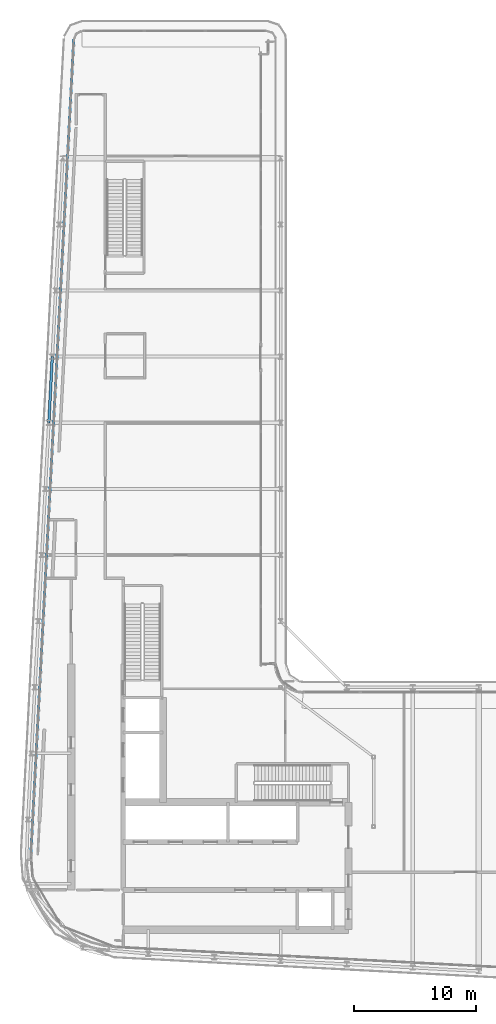
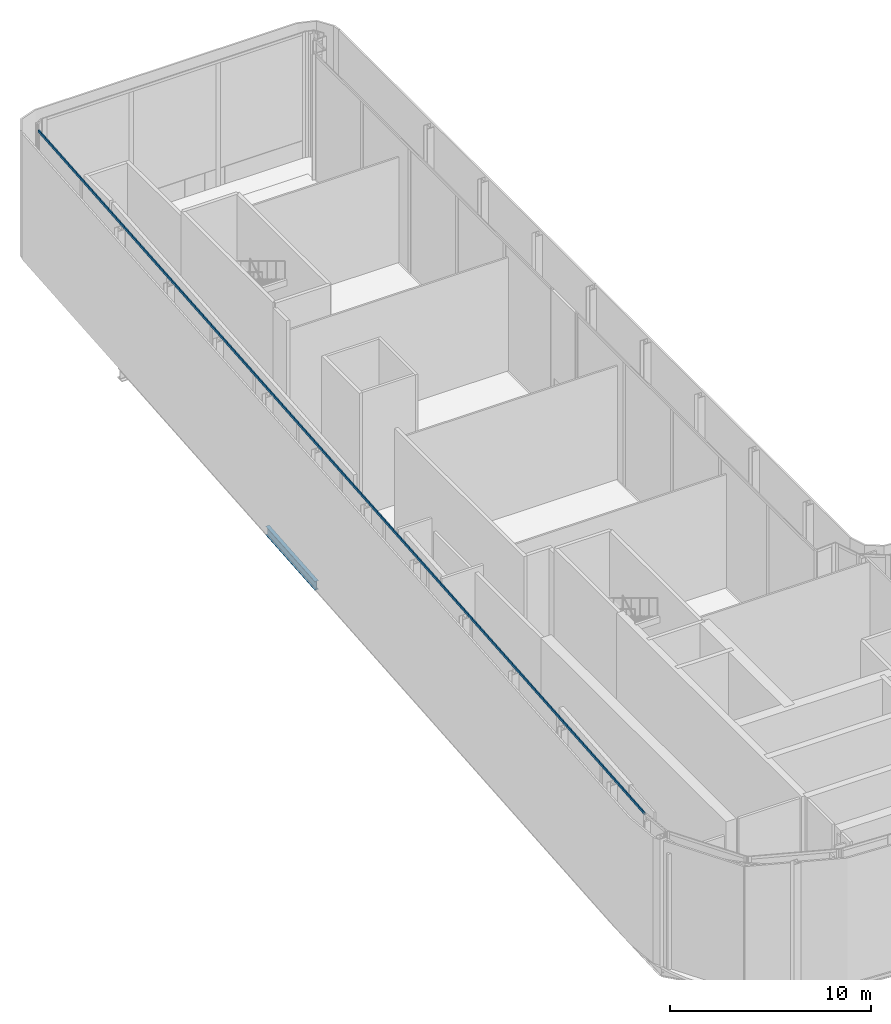
# One storey, part 10 of 28: 1 beam, 1 member, 1 element without a shape of its own.
"""IFC4 building model written with IfcOpenShell, lengths in metres."""

import ifcopenshell
import ifcopenshell.guid

model = None  # the IFC model being written
_history = None  # IfcOwnerHistory: only IFC2X3 demands one
_inside = {}  # id of a spatial element -> (the spatial element, [elements in it])
_under = {}  # id of a project, library or spatial element -> (it, [spatial elements below it])
_declared = {}  # id of a project -> (the project, [libraries it declares])
_typed = {}  # id of a type object -> (the type object, [elements of that type])
_made_of = {}  # id of a material, layer set ... -> (it, [elements and type objects made of it])


def new_model(schema):
    """Start an empty IFC model of exactly this schema.

    Asked for "IFC4X3", IfcOpenShell would pick the latest addendum, in which some entities
    have other attributes; the version numbers below select the first issue.
    IFC2X3 requires an IfcOwnerHistory on every rooted entity: one is made here for all.
    """
    global model, _history
    if schema == "IFC4X3":
        model = ifcopenshell.file(schema_version=(4, 3, 0, 0))
    else:
        model = ifcopenshell.file(schema=schema)
    _inside.clear()
    _under.clear()
    _declared.clear()
    _typed.clear()
    _made_of.clear()
    _history = None
    if model.schema == "IFC2X3":
        org = make("IfcOrganization", Name="unknown")
        user = make(
            "IfcPersonAndOrganization",
            ThePerson=make("IfcPerson", FamilyName="unknown"),
            TheOrganization=org,
        )
        app = make(
            "IfcApplication",
            ApplicationDeveloper=org,
            Version="unknown",
            ApplicationFullName="unknown",
            ApplicationIdentifier="unknown",
        )
        _history = make(
            "IfcOwnerHistory",
            OwningUser=user,
            OwningApplication=app,
            ChangeAction="ADDED",
            CreationDate=0,
        )
    return model


def make(cls, **values):
    """One entity of the class cls with the attributes given. An attribute that is None is left unset."""
    return model.create_entity(
        cls, **{name: value for name, value in values.items() if value is not None}
    )


def rooted(cls, **values):
    """An entity with a GlobalId (a new one), such as an element, a storey or a relation."""
    return make(cls, GlobalId=ifcopenshell.guid.new(), OwnerHistory=_history, **values)


def si_unit(unit_type, name, prefix=None):
    """IfcSIUnit, for example si_unit("LENGTHUNIT", "METRE", prefix="MILLI")."""
    return make("IfcSIUnit", UnitType=unit_type, Prefix=prefix, Name=name)


def assignment(units):
    """IfcUnitAssignment: the units of a project."""
    return None if units is None else make("IfcUnitAssignment", Units=units)


def point(xyz):
    """IfcCartesianPoint."""
    return None if xyz is None else make("IfcCartesianPoint", Coordinates=xyz)


def direction(xyz):
    """IfcDirection."""
    return None if xyz is None else make("IfcDirection", DirectionRatios=xyz)


def frame(location, z_axis=None, x_axis=None):
    """IfcAxis2Placement3D, a coordinate frame: its origin and axes. An axis left out is left unset."""
    return make(
        "IfcAxis2Placement3D",
        Location=point(location),
        Axis=direction(z_axis),
        RefDirection=direction(x_axis),
    )


def frame_2d(location, x_axis=None):
    """IfcAxis2Placement2D, a coordinate frame in the plane: its origin and x axis."""
    return make(
        "IfcAxis2Placement2D", Location=point(location), RefDirection=direction(x_axis)
    )


def origin():
    """The frame at (0, 0, 0) with its axes left unset."""
    return frame((0.0, 0.0, 0.0))


def origin_2d():
    """The frame at (0, 0) in the plane with its x axis left unset."""
    return frame_2d((0.0, 0.0))


def place(relative_to, where):
    """IfcLocalPlacement: puts the frame where relative to a parent placement (None: the world)."""
    return make(
        "IfcLocalPlacement", PlacementRelTo=relative_to, RelativePlacement=where
    )


def context(
    kind, dimensions, precision=None, world=None, true_north=None, identifier=None
):
    """IfcGeometricRepresentationContext, for example the 3D "Model" context."""
    return make(
        "IfcGeometricRepresentationContext",
        ContextIdentifier=identifier,
        ContextType=kind,
        CoordinateSpaceDimension=dimensions,
        Precision=precision,
        WorldCoordinateSystem=world,
        TrueNorth=true_north,
    )


def subcontext(parent, identifier, kind, view, scale=None):
    """IfcGeometricRepresentationSubContext, for example "Body" below "Model"."""
    return make(
        "IfcGeometricRepresentationSubContext",
        ContextIdentifier=identifier,
        ContextType=kind,
        ParentContext=parent,
        TargetScale=scale,
        TargetView=view,
    )


def project(units=None, contexts=None):
    """IfcProject with its units and contexts."""
    return rooted(
        "IfcProject",
        Name="project",
        RepresentationContexts=contexts,
        UnitsInContext=assignment(units),
    )


def spatial(cls, under=None, at=None, **own):
    """A site, building, storey or space (cls), placed at a placement, below another one or the project."""
    s = rooted(cls, ObjectPlacement=at, **own)
    if under is not None:
        _under.setdefault(under.id(), (under, []))[1].append(s)
    return s


def profile(cls, at=None, kind="AREA", **sizes):
    """A parametric profile (cls). Its sizes go by their IFC names, for example OverallWidth=200.0."""
    return make(cls, ProfileType=kind, Position=at, **sizes)


def rectangle(**sizes):
    """IfcRectangleProfileDef."""
    return profile("IfcRectangleProfileDef", **sizes)


def i_section(**sizes):
    """IfcIShapeProfileDef."""
    return profile("IfcIShapeProfileDef", **sizes)


def extrude(swept, where, along, depth):
    """IfcExtrudedAreaSolid: the profile swept, set in the frame where, extruded along a direction by depth."""
    return make(
        "IfcExtrudedAreaSolid",
        SweptArea=swept,
        Position=where,
        ExtrudedDirection=direction(along),
        Depth=depth,
    )


def shape(context_of_items, identifier, shape_type, items):
    """IfcShapeRepresentation: the items that make up one representation, for example the "Body"."""
    return make(
        "IfcShapeRepresentation",
        ContextOfItems=context_of_items,
        RepresentationIdentifier=identifier,
        RepresentationType=shape_type,
        Items=items,
    )


def material(Name=None, Category=None):
    """IfcMaterial."""
    return make("IfcMaterial", Name=Name, Category=Category)


def layer(
    of_material, thickness, ventilated=None, Name=None, Category=None, Priority=None
):
    """IfcMaterialLayer: one layer of a wall or slab, of a material (None: an air gap)."""
    return make(
        "IfcMaterialLayer",
        Material=of_material,
        LayerThickness=thickness,
        IsVentilated=ventilated,
        Name=Name,
        Category=Category,
        Priority=Priority,
    )


def layer_set(layers, Name=None):
    """IfcMaterialLayerSet."""
    return make("IfcMaterialLayerSet", MaterialLayers=layers, LayerSetName=Name)


def material_profile(
    of_material, cross_section, Name=None, Category=None, Priority=None
):
    """IfcMaterialProfile: a cross section and its material."""
    return make(
        "IfcMaterialProfile",
        Name=Name,
        Material=of_material,
        Profile=cross_section,
        Priority=Priority,
        Category=Category,
    )


def profile_set(profiles, Name=None, composite=None):
    """IfcMaterialProfileSet."""
    return make(
        "IfcMaterialProfileSet",
        Name=Name,
        MaterialProfiles=profiles,
        CompositeProfile=composite,
    )


def made_of(thing, what):
    """Note that an element or type object is made of a material, layer set ...; save() writes the relation."""
    if what is not None:
        _made_of.setdefault(what.id(), (what, []))[1].append(thing)
    return thing


def type_object(cls, material=None, **own):
    """A type object (cls), such as IfcWallType, which elements share."""
    return made_of(rooted(cls, **own), material)


def element(
    cls,
    number,
    at=None,
    inside=None,
    cuts=None,
    type_object=None,
    material=None,
    context=None,
    identifier="Body",
    shape_type=None,
    held_by="IfcProductDefinitionShape",
    body=None,
    shapes=None,
    **own,
):
    """One element of the class cls, such as IfcWall. Its Tag is "e" and its number.

    at: its placement. inside: the storey or other place that contains it. cuts: it is an
    opening in that element (IfcRelVoidsElement). A single representation is given by context,
    identifier, shape_type and body (its items); several are given by shapes. held_by: the class
    of the entity that holds the representations. save() writes the other relations.
    """
    e = rooted(cls, Tag="e%d" % number, ObjectPlacement=at, **own)
    if body is not None:
        shapes = [shape(context, identifier, shape_type, body)]
    if shapes is not None:
        e.Representation = make(held_by, Representations=shapes)
    if inside is not None:
        _inside.setdefault(inside.id(), (inside, []))[1].append(e)
    if cuts is not None:
        rooted(
            "IfcRelVoidsElement", RelatingBuildingElement=cuts, RelatedOpeningElement=e
        )
    if type_object is not None:
        _typed.setdefault(type_object.id(), (type_object, []))[1].append(e)
    return made_of(e, material)


def aggregate(whole, parts):
    """IfcRelAggregates: a whole, such as a stair, and the parts it consists of."""
    return rooted("IfcRelAggregates", RelatingObject=whole, RelatedObjects=parts)


def save(model, path):
    """Write the relations noted so far, then the file.

    IfcRelAggregates (storeys below a building ...), IfcRelContainedInSpatialStructure (elements
    in a storey), IfcRelDefinesByType, IfcRelAssociatesMaterial and IfcRelDeclares: one each for
    every whole, place, type object, material and project.
    """
    for whole, parts in _under.values():
        aggregate(whole, parts)
    for where, things in _inside.values():
        rooted(
            "IfcRelContainedInSpatialStructure",
            RelatedElements=things,
            RelatingStructure=where,
        )
    for kind, things in _typed.values():
        rooted("IfcRelDefinesByType", RelatedObjects=things, RelatingType=kind)
    for what, things in _made_of.values():
        rooted("IfcRelAssociatesMaterial", RelatedObjects=things, RelatingMaterial=what)
    for by, libraries in _declared.values():
        rooted("IfcRelDeclares", RelatingContext=by, RelatedDefinitions=libraries)
    model.write(path)


model = new_model("IFC4")

# Units and contexts
model_context = context("Model", 3, precision=1e-05, world=origin(), true_north=direction((0.0, 1.0)))
body_context = subcontext(model_context, "Body", "Model", "MODEL_VIEW")
ifc_project = project(units=[si_unit("LENGTHUNIT", "METRE"), si_unit("AREAUNIT", "SQUARE_METRE"), si_unit("VOLUMEUNIT", "CUBIC_METRE"), si_unit("PLANEANGLEUNIT", "RADIAN"), si_unit("MASSUNIT", "GRAM", prefix="KILO")], contexts=[model_context])

# Site, building, storey
site_placement = place(None, origin())
site = spatial("IfcSite", under=ifc_project, at=site_placement, CompositionType="ELEMENT")
building_placement = place(site_placement, origin())
building = spatial("IfcBuilding", under=site, at=building_placement, Name="Kheshtan School and Residences Tower", CompositionType="ELEMENT")
storey_placement = place(building_placement, frame((0.0, 0.0, 325.39990234375)))
storey = spatial("IfcBuildingStorey", under=building, at=storey_placement, Name="L77", CompositionType="ELEMENT", Elevation=325.39990234375)

# Beam
ifc_material_1 = material(Name="Steel ASTM A992 Grade 50", Category="steel")
ifc_material_profile_1 = material_profile(ifc_material_1, i_section(OverallWidth=0.208984375, OverallDepth=0.532958984375, WebThickness=0.01025390625, FlangeThickness=0.015625, FilletRadius=0.013916015625, at=origin_2d()), Name="W530x92")
ifc_profile_set_1 = profile_set([ifc_material_profile_1], Name="Steel ASTM A992 Grade 50")
beam_type = type_object("IfcBeamType", Name="Beam SP3 W530x92 ASTM A992 Grade 50", PredefinedType="BEAM", material=ifc_profile_set_1)
beam_placement = place(storey_placement, frame((28.674072265625, 67.199951171875, -0.41650390625), z_axis=(0.05250670125, 0.998620571751, 0.0), x_axis=(-0.998620571751, 0.05250670125, 0.0)))
element("IfcBeam", 1, at=beam_placement, inside=storey, type_object=beam_type, Name="Spandrel beam C084-C086", PredefinedType="BEAM", context=body_context, shape_type="SweptSolid", body=[
    extrude(i_section(OverallWidth=0.208984375, OverallDepth=0.532958984375, WebThickness=0.01025390625, FlangeThickness=0.015625, FilletRadius=0.013916015625, at=origin_2d()), origin(), (0.0, 0.0, 1.0), 5.40771484375),
])

# Curtain wall, member
ifc_material_2 = material(Name="Clear low-e glass in thermally broken aluminium frame", Category="aluminium")
ifc_layer = layer(ifc_material_2, 0.25)
ifc_layer_set = layer_set([ifc_layer], Name="Curtain wall CW-K")
curtain_wall_type = type_object("IfcCurtainWallType", Name="Curtain wall CW-K", PredefinedType="NOTDEFINED", material=ifc_layer_set)
curtain_wall_placement = place(storey_placement, origin())
curtain_wall = element("IfcCurtainWall", 2, at=curtain_wall_placement, inside=storey, type_object=curtain_wall_type, Name="Curtain wall CWK6b", PredefinedType="NOTDEFINED")
ifc_material_3 = material(Name="Thermally broken aluminium, dark bronze anodised", Category="aluminium")
ifc_material_profile_2 = material_profile(ifc_material_3, rectangle(XDim=0.06005859375, YDim=0.159912109375, at=origin_2d()), Name="CW-K transom 60x160")
ifc_profile_set_2 = profile_set([ifc_material_profile_2], Name="Thermally broken aluminium, dark bronze anodised")
member_type = type_object("IfcMemberType", Name="CW-K transom 60x160", PredefinedType="USERDEFINED", material=ifc_profile_set_2)
member_placement = place(storey_placement, frame((27.219482421875, 31.963623046875, 7.570068359375), z_axis=(0.052565184819, 0.998617495012, 0.0), x_axis=(-0.998617495012, 0.052565184819, 0.0)))
member = element("IfcMember", 3, at=member_placement, type_object=member_type, Name="CWK6b transom 1", ObjectType="TRANSOM", PredefinedType="USERDEFINED", context=body_context, shape_type="SweptSolid", body=[
    extrude(rectangle(XDim=0.06005859375, YDim=0.159912109375, at=origin_2d()), origin(), (0.0, 0.0, 1.0), 66.57470703125),
])
aggregate(curtain_wall, [member])

save(model, "model.ifc")
